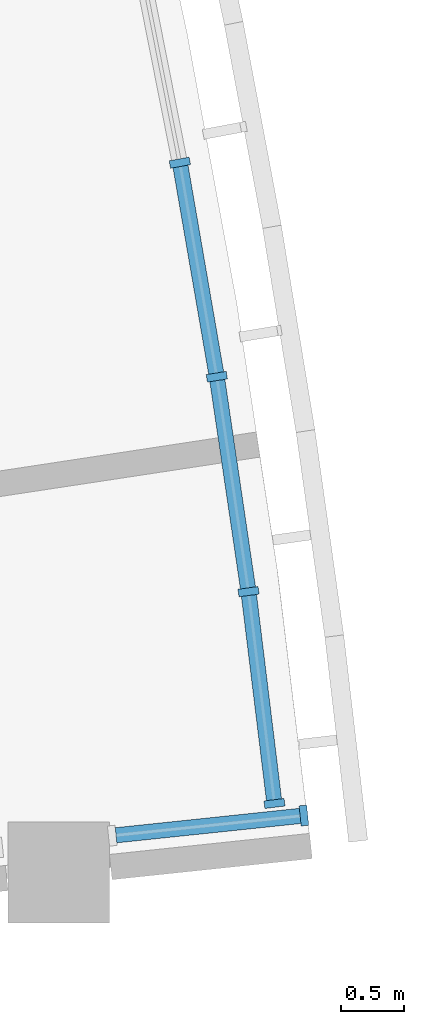
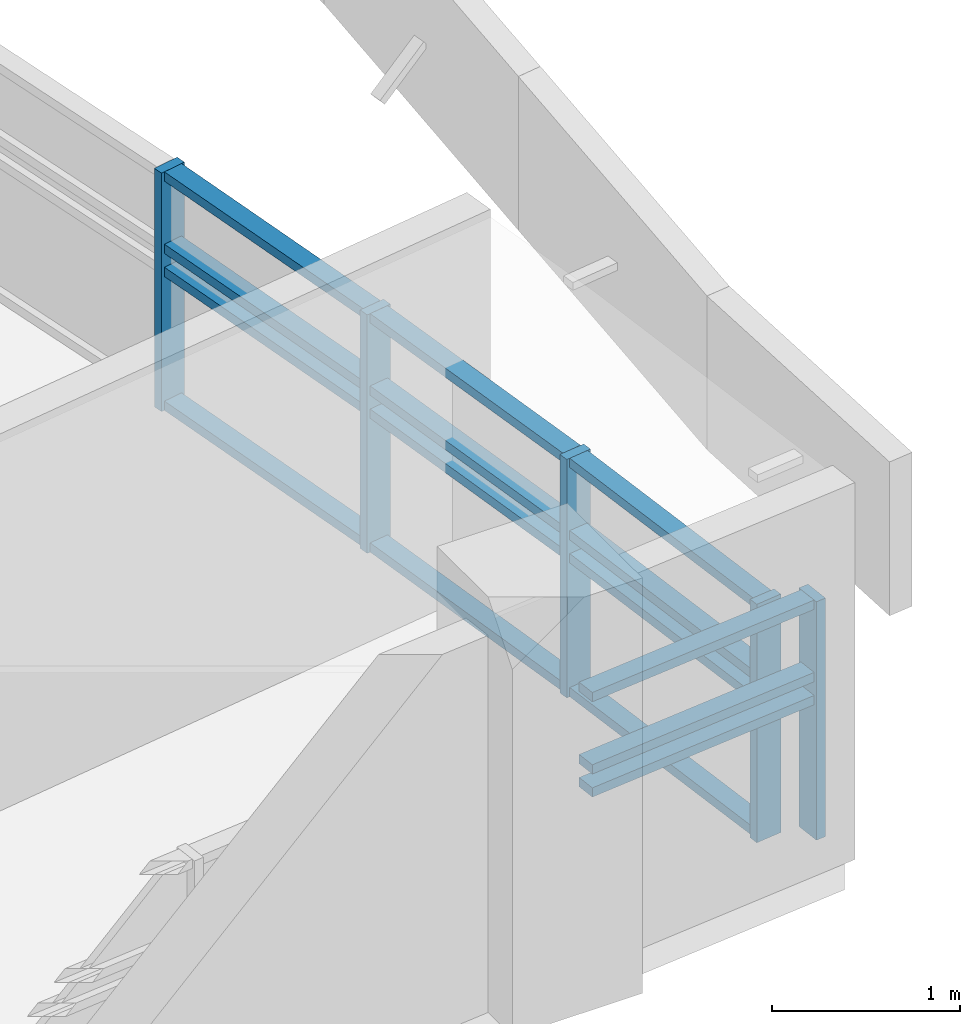
# One storey, part 21 of 89: 20 members, 2 elements without a shape of their own.
"""IFC4 building model written with IfcOpenShell, lengths in metres."""

from ifc_helpers import new_model, si_unit, direction, frame, origin, origin_2d, place, context, subcontext, project, spatial, rectangle, extrude, material, material_profile, profile_set, type_object, element, aggregate, save


model = new_model("IFC4")

# Units and contexts
model_context = context("Model", 3, precision=1e-05, world=origin(), true_north=direction((0.0, 1.0)))
body_context = subcontext(model_context, "Body", "Model", "MODEL_VIEW")
ifc_project = project(units=[si_unit("LENGTHUNIT", "METRE"), si_unit("AREAUNIT", "SQUARE_METRE"), si_unit("VOLUMEUNIT", "CUBIC_METRE"), si_unit("PLANEANGLEUNIT", "RADIAN"), si_unit("MASSUNIT", "GRAM", prefix="KILO")], contexts=[model_context])

# Site, building, storey
site_placement = place(None, origin())
site = spatial("IfcSite", under=ifc_project, at=site_placement, CompositionType="ELEMENT")
building_placement = place(site_placement, origin())
building = spatial("IfcBuilding", under=site, at=building_placement, Name="Bougainvillea Quay General Hospital", CompositionType="ELEMENT")
storey_placement = place(building_placement, frame((0.0, 0.0, 9.89990234375)))
storey = spatial("IfcBuildingStorey", under=building, at=storey_placement, Name="L01M", CompositionType="ELEMENT", Elevation=9.89990234375)

# Curtain wall, member
ifc_material_1 = material(Name="Aluminium curtain wall system, powder-coated glazed", Category="aluminium")
curtain_wall_type_1 = type_object("IfcCurtainWallType", Name="Unitised curtain wall CW-1581", PredefinedType="NOTDEFINED", material=ifc_material_1)
curtain_wall_1_placement = place(storey_placement, origin())
curtain_wall_1 = element("IfcCurtainWall", 1, at=curtain_wall_1_placement, inside=storey, type_object=curtain_wall_type_1, Name="CW-AE 05", PredefinedType="NOTDEFINED")
ifc_material_2 = material(Name="Aluminium mullion, powder-coated charcoal", Category="aluminium")
ifc_material_profile_1 = material_profile(ifc_material_2, rectangle(XDim=0.159912109375, YDim=0.06005859375, at=origin_2d()))
ifc_profile_set_1 = profile_set([ifc_material_profile_1], Name="Aluminium mullion, powder-coated charcoal")
member_type_1 = type_object("IfcMemberType", Name="Curtain wall mullion 160x60", PredefinedType="MULLION", material=ifc_profile_set_1)
member_1_placement = place(storey_placement, frame((178.760986328125, 29.5625, 0.0), z_axis=(0.0, 0.0, 1.0), x_axis=(-0.104527173765, 0.9945220309, 0.0)))
member_1 = element("IfcMember", 2, at=member_1_placement, type_object=member_type_1, Name="CW-AE mullion 2", PredefinedType="MULLION", context=body_context, shape_type="SweptSolid", body=[
    extrude(rectangle(XDim=0.159912109375, YDim=0.06005859375, at=origin_2d()), origin(), (0.0, 0.0, 1.0), 1.550048828125),
])

# Curtain wall, members
curtain_wall_type_2 = type_object("IfcCurtainWallType", Name="Unitised curtain wall CW-2100", PredefinedType="NOTDEFINED", material=ifc_material_1)
curtain_wall_2_placement = place(storey_placement, origin())
curtain_wall_2 = element("IfcCurtainWall", 3, at=curtain_wall_2_placement, inside=storey, type_object=curtain_wall_type_2, Name="CW-E08 a14b7", PredefinedType="NOTDEFINED")
member_2_placement = place(storey_placement, frame((177.7822265625, 34.712158203125, 0.0), z_axis=(0.0, 0.0, 1.0), x_axis=(0.983252034569, 0.182251026106, 0.0)))
member_2 = element("IfcMember", 4, at=member_2_placement, type_object=member_type_1, Name="CW-E08 mullion 3", PredefinedType="MULLION", context=body_context, shape_type="SweptSolid", body=[
    extrude(rectangle(XDim=0.159912109375, YDim=0.06005859375, at=origin_2d()), origin(), (0.0, 0.0, 1.0), 1.550048828125),
])
member_3_placement = place(storey_placement, frame((178.07373046875, 33.023681640625, 0.0), z_axis=(0.0, 0.0, 1.0), x_axis=(0.98743214319, 0.158043546515, 0.0)))
member_3 = element("IfcMember", 5, at=member_3_placement, type_object=member_type_1, Name="CW-E08 mullion 4", PredefinedType="MULLION", context=body_context, shape_type="SweptSolid", body=[
    extrude(rectangle(XDim=0.159912109375, YDim=0.06005859375, at=origin_2d()), origin(), (0.0, 0.0, 1.0), 1.550048828125),
])
member_4_placement = place(storey_placement, frame((178.323974609375, 31.328369140625, 0.0), z_axis=(0.0, 0.0, 1.0), x_axis=(0.991016360827, 0.133740691535, 0.0)))
member_4 = element("IfcMember", 6, at=member_4_placement, type_object=member_type_1, Name="CW-E08 mullion 5", PredefinedType="MULLION", context=body_context, shape_type="SweptSolid", body=[
    extrude(rectangle(XDim=0.159912109375, YDim=0.06005859375, at=origin_2d()), origin(), (0.0, 0.0, 1.0), 1.550048828125),
])
member_5_placement = place(storey_placement, frame((178.528564453125, 29.657470703125, 0.0), z_axis=(0.0, 0.0, 1.0), x_axis=(0.992584320508, 0.121558079457, 0.0)))
member_5 = element("IfcMember", 7, at=member_5_placement, type_object=member_type_1, Name="CW-E08 mullion 6", PredefinedType="MULLION", context=body_context, shape_type="SweptSolid", body=[
    extrude(rectangle(XDim=0.159912109375, YDim=0.06005859375, at=origin_2d()), origin(), (0.0, 0.0, 1.0), 1.550048828125),
])

# Member
ifc_material_3 = material(Name="Aluminium transom, powder-coated charcoal", Category="aluminium")
ifc_material_profile_2 = material_profile(ifc_material_3, rectangle(XDim=0.1201171875, YDim=0.06005859375, at=origin_2d()))
ifc_profile_set_2 = profile_set([ifc_material_profile_2], Name="Aluminium transom, powder-coated charcoal")
member_type_2 = type_object("IfcMemberType", Name="Curtain wall transom 120x60", PredefinedType="USERDEFINED", material=ifc_profile_set_2)
member_6_placement = place(storey_placement, frame((177.27880859375, 29.40673828125, 0.900146484375), z_axis=(0.994526501462, 0.104484629923, 0.0), x_axis=(-0.104484629923, 0.994526501462, 0.0)))
member_6 = element("IfcMember", 8, at=member_6_placement, type_object=member_type_2, Name="CW-AE transom 1.2", ObjectType="TRANSOM", PredefinedType="USERDEFINED", context=body_context, shape_type="SweptSolid", body=[
    extrude(rectangle(XDim=0.1201171875, YDim=0.06005859375, at=origin_2d()), origin(), (0.0, 0.0, 1.0), 1.46044921875),
])

member_7_placement = place(storey_placement, frame((177.27880859375, 29.40673828125, 1.050048828125), z_axis=(0.994526501462, 0.104484629923, 0.0), x_axis=(-0.104484629923, 0.994526501462, 0.0)))
member_7 = element("IfcMember", 9, at=member_7_placement, type_object=member_type_2, Name="CW-AE transom 1.3", ObjectType="TRANSOM", PredefinedType="USERDEFINED", context=body_context, shape_type="SweptSolid", body=[
    extrude(rectangle(XDim=0.1201171875, YDim=0.06005859375, at=origin_2d()), origin(), (0.0, 0.0, 1.0), 1.46044921875),
])

member_8_placement = place(storey_placement, frame((177.27880859375, 29.40673828125, 1.52001953125), z_axis=(0.994526501462, 0.104484629923, 0.0), x_axis=(-0.104484629923, 0.994526501462, 0.0)))
member_8 = element("IfcMember", 10, at=member_8_placement, type_object=member_type_2, Name="CW-AE transom 1.4", ObjectType="TRANSOM", PredefinedType="USERDEFINED", context=body_context, shape_type="SweptSolid", body=[
    extrude(rectangle(XDim=0.1201171875, YDim=0.06005859375, at=origin_2d()), origin(), (0.0, 0.0, 1.0), 1.46044921875),
])

aggregate(curtain_wall_1, [member_1, member_6, member_7, member_8])

member_9_placement = place(storey_placement, frame((177.787353515625, 34.6826171875, 0.030029296875), z_axis=(0.170238177254, -0.985402944488, 0.0), x_axis=(0.985402944488, 0.170238177254, 0.0)))
member_9 = element("IfcMember", 11, at=member_9_placement, type_object=member_type_2, Name="CW-E08 transom 3.1", ObjectType="TRANSOM", PredefinedType="USERDEFINED", context=body_context, shape_type="SweptSolid", body=[
    extrude(rectangle(XDim=0.1201171875, YDim=0.06005859375, at=origin_2d()), origin(), (0.0, 0.0, 1.0), 1.653564453125),
])

member_10_placement = place(storey_placement, frame((177.787353515625, 34.6826171875, 0.900146484375), z_axis=(0.170238177254, -0.985402944488, 0.0), x_axis=(0.985402944488, 0.170238177254, 0.0)))
member_10 = element("IfcMember", 12, at=member_10_placement, type_object=member_type_2, Name="CW-E08 transom 3.2", ObjectType="TRANSOM", PredefinedType="USERDEFINED", context=body_context, shape_type="SweptSolid", body=[
    extrude(rectangle(XDim=0.1201171875, YDim=0.06005859375, at=origin_2d()), origin(), (0.0, 0.0, 1.0), 1.653564453125),
])

member_11_placement = place(storey_placement, frame((177.787353515625, 34.6826171875, 1.050048828125), z_axis=(0.170238177254, -0.985402944488, 0.0), x_axis=(0.985402944488, 0.170238177254, 0.0)))
member_11 = element("IfcMember", 13, at=member_11_placement, type_object=member_type_2, Name="CW-E08 transom 3.3", ObjectType="TRANSOM", PredefinedType="USERDEFINED", context=body_context, shape_type="SweptSolid", body=[
    extrude(rectangle(XDim=0.1201171875, YDim=0.06005859375, at=origin_2d()), origin(), (0.0, 0.0, 1.0), 1.653564453125),
])

member_12_placement = place(storey_placement, frame((177.787353515625, 34.6826171875, 1.52001953125), z_axis=(0.170238177254, -0.985402944488, 0.0), x_axis=(0.985402944488, 0.170238177254, 0.0)))
member_12 = element("IfcMember", 14, at=member_12_placement, type_object=member_type_2, Name="CW-E08 transom 3.4", ObjectType="TRANSOM", PredefinedType="USERDEFINED", context=body_context, shape_type="SweptSolid", body=[
    extrude(rectangle(XDim=0.1201171875, YDim=0.06005859375, at=origin_2d()), origin(), (0.0, 0.0, 1.0), 1.653564453125),
])

member_13_placement = place(storey_placement, frame((178.078125, 32.993896484375, 0.030029296875), z_axis=(0.146029573517, -0.989280225042, 0.0), x_axis=(0.989280225042, 0.146029573517, 0.0)))
member_13 = element("IfcMember", 15, at=member_13_placement, type_object=member_type_2, Name="CW-E08 transom 4.1", ObjectType="TRANSOM", PredefinedType="USERDEFINED", context=body_context, shape_type="SweptSolid", body=[
    extrude(rectangle(XDim=0.1201171875, YDim=0.06005859375, at=origin_2d()), origin(), (0.0, 0.0, 1.0), 1.653564453125),
])

member_14_placement = place(storey_placement, frame((178.078125, 32.993896484375, 0.900146484375), z_axis=(0.146029573517, -0.989280225042, 0.0), x_axis=(0.989280225042, 0.146029573517, 0.0)))
member_14 = element("IfcMember", 16, at=member_14_placement, type_object=member_type_2, Name="CW-E08 transom 4.2", ObjectType="TRANSOM", PredefinedType="USERDEFINED", context=body_context, shape_type="SweptSolid", body=[
    extrude(rectangle(XDim=0.1201171875, YDim=0.06005859375, at=origin_2d()), origin(), (0.0, 0.0, 1.0), 1.653564453125),
])

member_15_placement = place(storey_placement, frame((178.078125, 32.993896484375, 1.050048828125), z_axis=(0.146029573517, -0.989280225042, 0.0), x_axis=(0.989280225042, 0.146029573517, 0.0)))
member_15 = element("IfcMember", 17, at=member_15_placement, type_object=member_type_2, Name="CW-E08 transom 4.3", ObjectType="TRANSOM", PredefinedType="USERDEFINED", context=body_context, shape_type="SweptSolid", body=[
    extrude(rectangle(XDim=0.1201171875, YDim=0.06005859375, at=origin_2d()), origin(), (0.0, 0.0, 1.0), 1.653564453125),
])

member_16_placement = place(storey_placement, frame((178.078125, 32.993896484375, 1.52001953125), z_axis=(0.146029573517, -0.989280225042, 0.0), x_axis=(0.989280225042, 0.146029573517, 0.0)))
member_16 = element("IfcMember", 18, at=member_16_placement, type_object=member_type_2, Name="CW-E08 transom 4.4", ObjectType="TRANSOM", PredefinedType="USERDEFINED", context=body_context, shape_type="SweptSolid", body=[
    extrude(rectangle(XDim=0.1201171875, YDim=0.06005859375, at=origin_2d()), origin(), (0.0, 0.0, 1.0), 1.653564453125),
])

member_17_placement = place(storey_placement, frame((178.327392578125, 31.298583984375, 0.030029296875), z_axis=(0.121665166795, -0.99257120006, 0.0), x_axis=(0.99257120006, 0.121665166795, 0.0)))
member_17 = element("IfcMember", 19, at=member_17_placement, type_object=member_type_2, Name="CW-E08 transom 5.1", ObjectType="TRANSOM", PredefinedType="USERDEFINED", context=body_context, shape_type="SweptSolid", body=[
    extrude(rectangle(XDim=0.1201171875, YDim=0.06005859375, at=origin_2d()), origin(), (0.0, 0.0, 1.0), 1.623291015625),
])

member_18_placement = place(storey_placement, frame((178.327392578125, 31.298583984375, 0.900146484375), z_axis=(0.121665166795, -0.99257120006, 0.0), x_axis=(0.99257120006, 0.121665166795, 0.0)))
member_18 = element("IfcMember", 20, at=member_18_placement, type_object=member_type_2, Name="CW-E08 transom 5.2", ObjectType="TRANSOM", PredefinedType="USERDEFINED", context=body_context, shape_type="SweptSolid", body=[
    extrude(rectangle(XDim=0.1201171875, YDim=0.06005859375, at=origin_2d()), origin(), (0.0, 0.0, 1.0), 1.623291015625),
])

member_19_placement = place(storey_placement, frame((178.327392578125, 31.298583984375, 1.050048828125), z_axis=(0.121665166795, -0.99257120006, 0.0), x_axis=(0.99257120006, 0.121665166795, 0.0)))
member_19 = element("IfcMember", 21, at=member_19_placement, type_object=member_type_2, Name="CW-E08 transom 5.3", ObjectType="TRANSOM", PredefinedType="USERDEFINED", context=body_context, shape_type="SweptSolid", body=[
    extrude(rectangle(XDim=0.1201171875, YDim=0.06005859375, at=origin_2d()), origin(), (0.0, 0.0, 1.0), 1.623291015625),
])

member_20_placement = place(storey_placement, frame((178.327392578125, 31.298583984375, 1.52001953125), z_axis=(0.121665166795, -0.99257120006, 0.0), x_axis=(0.99257120006, 0.121665166795, 0.0)))
member_20 = element("IfcMember", 22, at=member_20_placement, type_object=member_type_2, Name="CW-E08 transom 5.4", ObjectType="TRANSOM", PredefinedType="USERDEFINED", context=body_context, shape_type="SweptSolid", body=[
    extrude(rectangle(XDim=0.1201171875, YDim=0.06005859375, at=origin_2d()), origin(), (0.0, 0.0, 1.0), 1.623291015625),
])

aggregate(curtain_wall_2, [member_2, member_3, member_4, member_5, member_9, member_10, member_11, member_12, member_13, member_14, member_15, member_16, member_17, member_18, member_19, member_20])

save(model, "model.ifc")
